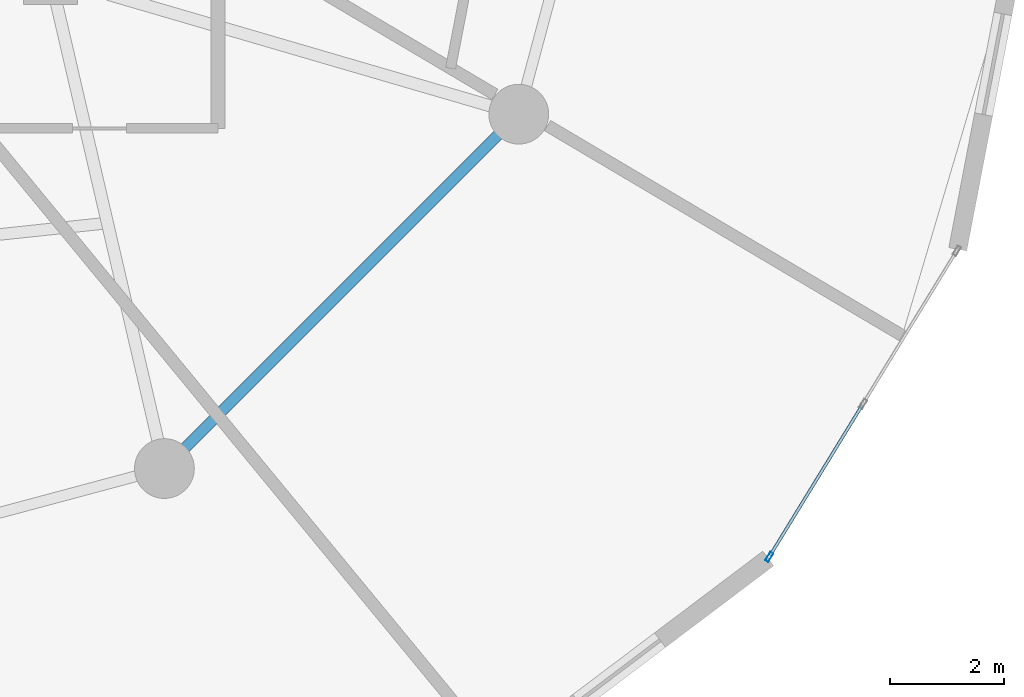
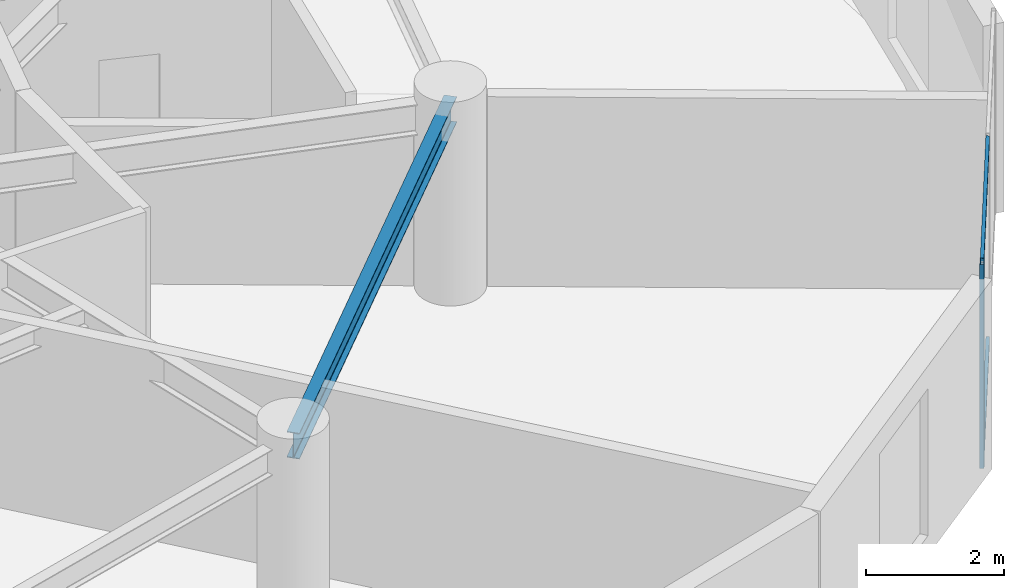
# One storey, part 6 of 23: 3 members, 1 beam, 1 element without a shape of its own.
"""IFC4 building model written with IfcOpenShell, lengths in metres."""

import ifcopenshell
import ifcopenshell.guid

model = None  # the IFC model being written
_history = None  # IfcOwnerHistory: only IFC2X3 demands one
_inside = {}  # id of a spatial element -> (the spatial element, [elements in it])
_under = {}  # id of a project, library or spatial element -> (it, [spatial elements below it])
_declared = {}  # id of a project -> (the project, [libraries it declares])
_typed = {}  # id of a type object -> (the type object, [elements of that type])
_made_of = {}  # id of a material, layer set ... -> (it, [elements and type objects made of it])


def new_model(schema):
    """Start an empty IFC model of exactly this schema.

    Asked for "IFC4X3", IfcOpenShell would pick the latest addendum, in which some entities
    have other attributes; the version numbers below select the first issue.
    IFC2X3 requires an IfcOwnerHistory on every rooted entity: one is made here for all.
    """
    global model, _history
    if schema == "IFC4X3":
        model = ifcopenshell.file(schema_version=(4, 3, 0, 0))
    else:
        model = ifcopenshell.file(schema=schema)
    _inside.clear()
    _under.clear()
    _declared.clear()
    _typed.clear()
    _made_of.clear()
    _history = None
    if model.schema == "IFC2X3":
        org = make("IfcOrganization", Name="unknown")
        user = make(
            "IfcPersonAndOrganization",
            ThePerson=make("IfcPerson", FamilyName="unknown"),
            TheOrganization=org,
        )
        app = make(
            "IfcApplication",
            ApplicationDeveloper=org,
            Version="unknown",
            ApplicationFullName="unknown",
            ApplicationIdentifier="unknown",
        )
        _history = make(
            "IfcOwnerHistory",
            OwningUser=user,
            OwningApplication=app,
            ChangeAction="ADDED",
            CreationDate=0,
        )
    return model


def make(cls, **values):
    """One entity of the class cls with the attributes given. An attribute that is None is left unset."""
    return model.create_entity(
        cls, **{name: value for name, value in values.items() if value is not None}
    )


def rooted(cls, **values):
    """An entity with a GlobalId (a new one), such as an element, a storey or a relation."""
    return make(cls, GlobalId=ifcopenshell.guid.new(), OwnerHistory=_history, **values)


def si_unit(unit_type, name, prefix=None):
    """IfcSIUnit, for example si_unit("LENGTHUNIT", "METRE", prefix="MILLI")."""
    return make("IfcSIUnit", UnitType=unit_type, Prefix=prefix, Name=name)


def assignment(units):
    """IfcUnitAssignment: the units of a project."""
    return None if units is None else make("IfcUnitAssignment", Units=units)


def point(xyz):
    """IfcCartesianPoint."""
    return None if xyz is None else make("IfcCartesianPoint", Coordinates=xyz)


def direction(xyz):
    """IfcDirection."""
    return None if xyz is None else make("IfcDirection", DirectionRatios=xyz)


def frame(location, z_axis=None, x_axis=None):
    """IfcAxis2Placement3D, a coordinate frame: its origin and axes. An axis left out is left unset."""
    return make(
        "IfcAxis2Placement3D",
        Location=point(location),
        Axis=direction(z_axis),
        RefDirection=direction(x_axis),
    )


def frame_2d(location, x_axis=None):
    """IfcAxis2Placement2D, a coordinate frame in the plane: its origin and x axis."""
    return make(
        "IfcAxis2Placement2D", Location=point(location), RefDirection=direction(x_axis)
    )


def origin():
    """The frame at (0, 0, 0) with its axes left unset."""
    return frame((0.0, 0.0, 0.0))


def origin_2d():
    """The frame at (0, 0) in the plane with its x axis left unset."""
    return frame_2d((0.0, 0.0))


def place(relative_to, where):
    """IfcLocalPlacement: puts the frame where relative to a parent placement (None: the world)."""
    return make(
        "IfcLocalPlacement", PlacementRelTo=relative_to, RelativePlacement=where
    )


def context(
    kind, dimensions, precision=None, world=None, true_north=None, identifier=None
):
    """IfcGeometricRepresentationContext, for example the 3D "Model" context."""
    return make(
        "IfcGeometricRepresentationContext",
        ContextIdentifier=identifier,
        ContextType=kind,
        CoordinateSpaceDimension=dimensions,
        Precision=precision,
        WorldCoordinateSystem=world,
        TrueNorth=true_north,
    )


def subcontext(parent, identifier, kind, view, scale=None):
    """IfcGeometricRepresentationSubContext, for example "Body" below "Model"."""
    return make(
        "IfcGeometricRepresentationSubContext",
        ContextIdentifier=identifier,
        ContextType=kind,
        ParentContext=parent,
        TargetScale=scale,
        TargetView=view,
    )


def project(units=None, contexts=None):
    """IfcProject with its units and contexts."""
    return rooted(
        "IfcProject",
        Name="project",
        RepresentationContexts=contexts,
        UnitsInContext=assignment(units),
    )


def spatial(cls, under=None, at=None, **own):
    """A site, building, storey or space (cls), placed at a placement, below another one or the project."""
    s = rooted(cls, ObjectPlacement=at, **own)
    if under is not None:
        _under.setdefault(under.id(), (under, []))[1].append(s)
    return s


def profile(cls, at=None, kind="AREA", **sizes):
    """A parametric profile (cls). Its sizes go by their IFC names, for example OverallWidth=200.0."""
    return make(cls, ProfileType=kind, Position=at, **sizes)


def hollow_rectangle(**sizes):
    """IfcRectangleHollowProfileDef."""
    return profile("IfcRectangleHollowProfileDef", **sizes)


def i_section(**sizes):
    """IfcIShapeProfileDef."""
    return profile("IfcIShapeProfileDef", **sizes)


def extrude(swept, where, along, depth):
    """IfcExtrudedAreaSolid: the profile swept, set in the frame where, extruded along a direction by depth."""
    return make(
        "IfcExtrudedAreaSolid",
        SweptArea=swept,
        Position=where,
        ExtrudedDirection=direction(along),
        Depth=depth,
    )


def shape(context_of_items, identifier, shape_type, items):
    """IfcShapeRepresentation: the items that make up one representation, for example the "Body"."""
    return make(
        "IfcShapeRepresentation",
        ContextOfItems=context_of_items,
        RepresentationIdentifier=identifier,
        RepresentationType=shape_type,
        Items=items,
    )


def source(mapping_origin, context_of_items, identifier, shape_type, items):
    """IfcRepresentationMap: a shape defined once, which mapped items show again and again."""
    return make(
        "IfcRepresentationMap",
        MappingOrigin=mapping_origin,
        MappedRepresentation=shape(context_of_items, identifier, shape_type, items),
    )


def transform(
    local_origin,
    x_axis=None,
    y_axis=None,
    z_axis=None,
    scale=None,
    scale2=None,
    scale3=None,
    uniform=True,
):
    """IfcCartesianTransformationOperator3D, or its non-uniform kind. x_axis, y_axis, z_axis: its Axis1, 2, 3."""
    if uniform:
        return make(
            "IfcCartesianTransformationOperator3D",
            Axis1=direction(x_axis),
            Axis2=direction(y_axis),
            LocalOrigin=point(local_origin),
            Scale=scale,
            Axis3=direction(z_axis),
        )
    return make(
        "IfcCartesianTransformationOperator3DnonUniform",
        Axis1=direction(x_axis),
        Axis2=direction(y_axis),
        LocalOrigin=point(local_origin),
        Scale=scale,
        Axis3=direction(z_axis),
        Scale2=scale2,
        Scale3=scale3,
    )


def mapped(mapping_source, mapping_target):
    """IfcMappedItem: shows the shape of a source again, moved by a transform."""
    return make(
        "IfcMappedItem", MappingSource=mapping_source, MappingTarget=mapping_target
    )


def material(Name=None, Category=None):
    """IfcMaterial."""
    return make("IfcMaterial", Name=Name, Category=Category)


def layer(
    of_material, thickness, ventilated=None, Name=None, Category=None, Priority=None
):
    """IfcMaterialLayer: one layer of a wall or slab, of a material (None: an air gap)."""
    return make(
        "IfcMaterialLayer",
        Material=of_material,
        LayerThickness=thickness,
        IsVentilated=ventilated,
        Name=Name,
        Category=Category,
        Priority=Priority,
    )


def layer_set(layers, Name=None):
    """IfcMaterialLayerSet."""
    return make("IfcMaterialLayerSet", MaterialLayers=layers, LayerSetName=Name)


def material_profile(
    of_material, cross_section, Name=None, Category=None, Priority=None
):
    """IfcMaterialProfile: a cross section and its material."""
    return make(
        "IfcMaterialProfile",
        Name=Name,
        Material=of_material,
        Profile=cross_section,
        Priority=Priority,
        Category=Category,
    )


def profile_set(profiles, Name=None, composite=None):
    """IfcMaterialProfileSet."""
    return make(
        "IfcMaterialProfileSet",
        Name=Name,
        MaterialProfiles=profiles,
        CompositeProfile=composite,
    )


def made_of(thing, what):
    """Note that an element or type object is made of a material, layer set ...; save() writes the relation."""
    if what is not None:
        _made_of.setdefault(what.id(), (what, []))[1].append(thing)
    return thing


def type_object(cls, material=None, **own):
    """A type object (cls), such as IfcWallType, which elements share."""
    return made_of(rooted(cls, **own), material)


def element(
    cls,
    number,
    at=None,
    inside=None,
    cuts=None,
    type_object=None,
    material=None,
    context=None,
    identifier="Body",
    shape_type=None,
    held_by="IfcProductDefinitionShape",
    body=None,
    shapes=None,
    **own,
):
    """One element of the class cls, such as IfcWall. Its Tag is "e" and its number.

    at: its placement. inside: the storey or other place that contains it. cuts: it is an
    opening in that element (IfcRelVoidsElement). A single representation is given by context,
    identifier, shape_type and body (its items); several are given by shapes. held_by: the class
    of the entity that holds the representations. save() writes the other relations.
    """
    e = rooted(cls, Tag="e%d" % number, ObjectPlacement=at, **own)
    if body is not None:
        shapes = [shape(context, identifier, shape_type, body)]
    if shapes is not None:
        e.Representation = make(held_by, Representations=shapes)
    if inside is not None:
        _inside.setdefault(inside.id(), (inside, []))[1].append(e)
    if cuts is not None:
        rooted(
            "IfcRelVoidsElement", RelatingBuildingElement=cuts, RelatedOpeningElement=e
        )
    if type_object is not None:
        _typed.setdefault(type_object.id(), (type_object, []))[1].append(e)
    return made_of(e, material)


def aggregate(whole, parts):
    """IfcRelAggregates: a whole, such as a stair, and the parts it consists of."""
    return rooted("IfcRelAggregates", RelatingObject=whole, RelatedObjects=parts)


def save(model, path):
    """Write the relations noted so far, then the file.

    IfcRelAggregates (storeys below a building ...), IfcRelContainedInSpatialStructure (elements
    in a storey), IfcRelDefinesByType, IfcRelAssociatesMaterial and IfcRelDeclares: one each for
    every whole, place, type object, material and project.
    """
    for whole, parts in _under.values():
        aggregate(whole, parts)
    for where, things in _inside.values():
        rooted(
            "IfcRelContainedInSpatialStructure",
            RelatedElements=things,
            RelatingStructure=where,
        )
    for kind, things in _typed.values():
        rooted("IfcRelDefinesByType", RelatedObjects=things, RelatingType=kind)
    for what, things in _made_of.values():
        rooted("IfcRelAssociatesMaterial", RelatedObjects=things, RelatingMaterial=what)
    for by, libraries in _declared.values():
        rooted("IfcRelDeclares", RelatingContext=by, RelatedDefinitions=libraries)
    model.write(path)


model = new_model("IFC4")

# Units and contexts
model_context = context("Model", 3, precision=1e-05, world=origin(), true_north=direction((0.0, 1.0)))
body_context = subcontext(model_context, "Body", "Model", "MODEL_VIEW")
ifc_project = project(units=[si_unit("LENGTHUNIT", "METRE"), si_unit("AREAUNIT", "SQUARE_METRE"), si_unit("VOLUMEUNIT", "CUBIC_METRE"), si_unit("PLANEANGLEUNIT", "RADIAN"), si_unit("MASSUNIT", "GRAM", prefix="KILO")], contexts=[model_context])

# Site, building, storey
site_placement = place(None, origin())
site = spatial("IfcSite", under=ifc_project, at=site_placement, CompositionType="ELEMENT")
building_placement = place(site_placement, origin())
building = spatial("IfcBuilding", under=site, at=building_placement, Name="Solvirekh Grand Hotel", CompositionType="ELEMENT")
storey_placement = place(building_placement, frame((0.0, 0.0, 138.60009765625)))
storey = spatial("IfcBuildingStorey", under=building, at=storey_placement, Name="L35", CompositionType="ELEMENT", Elevation=138.60009765625)

# Beam
ifc_material_1 = material(Name="Steel S355", Category="steel")
ifc_material_profile_1 = material_profile(ifc_material_1, i_section(OverallWidth=0.18994140625, OverallDepth=0.45703125, WebThickness=0.009033203125, FlangeThickness=0.013916015625, FilletRadius=0.012939453125, at=origin_2d()), Name="W460X74")
ifc_profile_set_1 = profile_set([ifc_material_profile_1], Name="Steel S355")
beam_type = type_object("IfcBeamType", Name="Spandrel_Ring_W460", PredefinedType="SPANDREL", material=ifc_profile_set_1)
beam_placement = place(storey_placement, frame((8.5, -14.721923828125, 3.120849609375), z_axis=(0.707106781187, 0.707106781187, 0.0), x_axis=(-0.707106781187, 0.707106781187, 0.0)))
element("IfcBeam", 1, at=beam_placement, inside=storey, type_object=beam_type, Name="L35 perimeter spandrel beam 11", PredefinedType="SPANDREL", context=body_context, shape_type="SweptSolid", body=[
    extrude(i_section(OverallWidth=0.18994140625, OverallDepth=0.45703125, WebThickness=0.009033203125, FlangeThickness=0.013916015625, FilletRadius=0.012939453125, at=origin_2d()), origin(), (0.0, 0.0, 1.0), 8.799072265625),
])

# Curtain wall, members
ifc_material_2 = material(Name="Anodized Bronze Aluminium 6063-T6", Category="aluminium")
ifc_layer = layer(ifc_material_2, 0.175048828125)
ifc_layer_set = layer_set([ifc_layer], Name="Anodized Bronze Aluminium 6063-T6")
curtain_wall_type = type_object("IfcCurtainWallType", Name="CW_Sys3_MidZoneFlushBronzeCW", PredefinedType="NOTDEFINED", material=ifc_layer_set)
curtain_wall_placement = place(storey_placement, origin())
curtain_wall = element("IfcCurtainWall", 2, at=curtain_wall_placement, inside=storey, type_object=curtain_wall_type, Name="L35 unitised bronze-glass curtain wall CW-L35-C01", PredefinedType="NOTDEFINED")
ifc_material_profile_2 = material_profile(ifc_material_2, hollow_rectangle(XDim=0.06494140625, YDim=0.175048828125, WallThickness=0.0048828125, at=origin_2d()), Name="ALU RHS 175X65X5")
ifc_profile_set_2 = profile_set([ifc_material_profile_2], Name="Anodized Bronze Aluminium 6063-T6")
member_type_1 = type_object("IfcMemberType", Name="CWMullion_Sys3", PredefinedType="MULLION", material=ifc_profile_set_2)
shared_shape_1 = source(origin(), body_context, "Body", "SweptSolid", [
    extrude(hollow_rectangle(XDim=0.06494140625, YDim=0.175048828125, WallThickness=0.0048828125, at=origin_2d()), origin(), (0.0, 0.0, 1.0), 3.599853515625),
])
member_1_placement = place(storey_placement, frame((19.119873046875, -16.274169921875, 0.0), z_axis=(0.0, 0.0, 1.0), x_axis=(-0.852648632908, 0.522484745041, 0.0)))
member_1 = element("IfcMember", 3, at=member_1_placement, type_object=member_type_1, Name="U03 mullion 1", PredefinedType="MULLION", context=body_context, shape_type="MappedRepresentation", body=[
    mapped(shared_shape_1, transform((0.0, 0.0, 0.0), x_axis=(1.0, 0.0, 0.0), y_axis=(0.0, 1.0, 0.0), z_axis=(0.0, 0.0, 1.0), scale=1.0)),
])
ifc_material_profile_3 = material_profile(ifc_material_2, hollow_rectangle(XDim=0.054931640625, YDim=0.1201171875, WallThickness=0.00390625, at=origin_2d()), Name="ALU RHS 120X55X4")
ifc_profile_set_3 = profile_set([ifc_material_profile_3], Name="Anodized Bronze Aluminium 6063-T6")
member_type_2 = type_object("IfcMemberType", Name="CWTransom_Sys3", PredefinedType="USERDEFINED", material=ifc_profile_set_3)
shared_shape_2 = source(origin(), body_context, "Body", "SweptSolid", [
    extrude(hollow_rectangle(XDim=0.054931640625, YDim=0.1201171875, WallThickness=0.00390625, at=origin_2d()), origin(), (0.0, 0.0, 1.0), 3.087158203125),
])
member_2_placement = place(storey_placement, frame((19.136962890625, -16.24658203125, 0.02734375), z_axis=(0.522486025943, 0.852647847997, 0.0), x_axis=(-0.852647847997, 0.522486025943, 0.0)))
member_2 = element("IfcMember", 4, at=member_2_placement, type_object=member_type_2, Name="U03 transom 1.1", ObjectType="TRANSOM", PredefinedType="USERDEFINED", context=body_context, shape_type="MappedRepresentation", body=[
    mapped(shared_shape_2, transform((0.0, 0.0, 0.0), x_axis=(1.0, 0.0, 0.0), y_axis=(0.0, 1.0, 0.0), z_axis=(0.0, 0.0, 1.0), scale=1.0)),
])
member_3_placement = place(storey_placement, frame((19.136962890625, -16.24658203125, 3.572509765625), z_axis=(0.522486025943, 0.852647847997, 0.0), x_axis=(-0.852647847997, 0.522486025943, 0.0)))
member_3 = element("IfcMember", 5, at=member_3_placement, type_object=member_type_2, Name="U03 transom 1.2", ObjectType="TRANSOM", PredefinedType="USERDEFINED", context=body_context, shape_type="MappedRepresentation", body=[
    mapped(shared_shape_2, transform((0.0, 0.0, 0.0), x_axis=(1.0, 0.0, 0.0), y_axis=(0.0, 1.0, 0.0), z_axis=(0.0, 0.0, 1.0), scale=1.0)),
])
aggregate(curtain_wall, [member_1, member_2, member_3])

save(model, "model.ifc")
